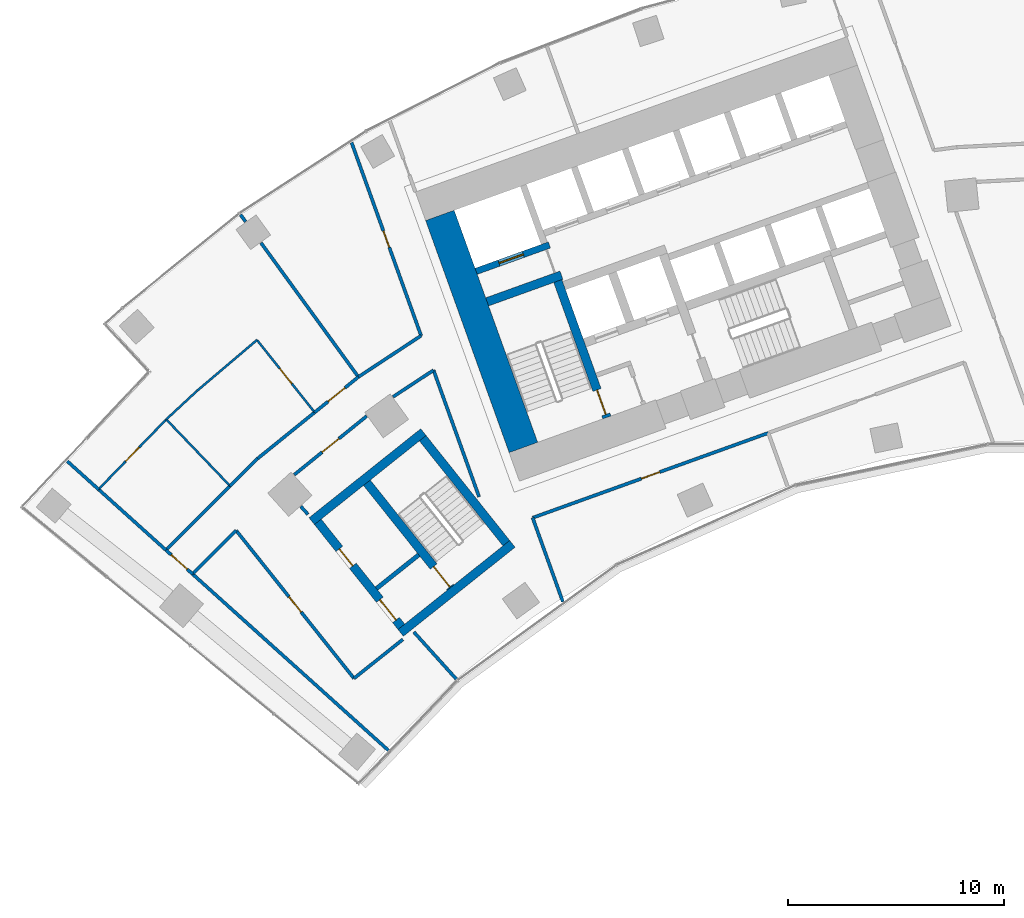
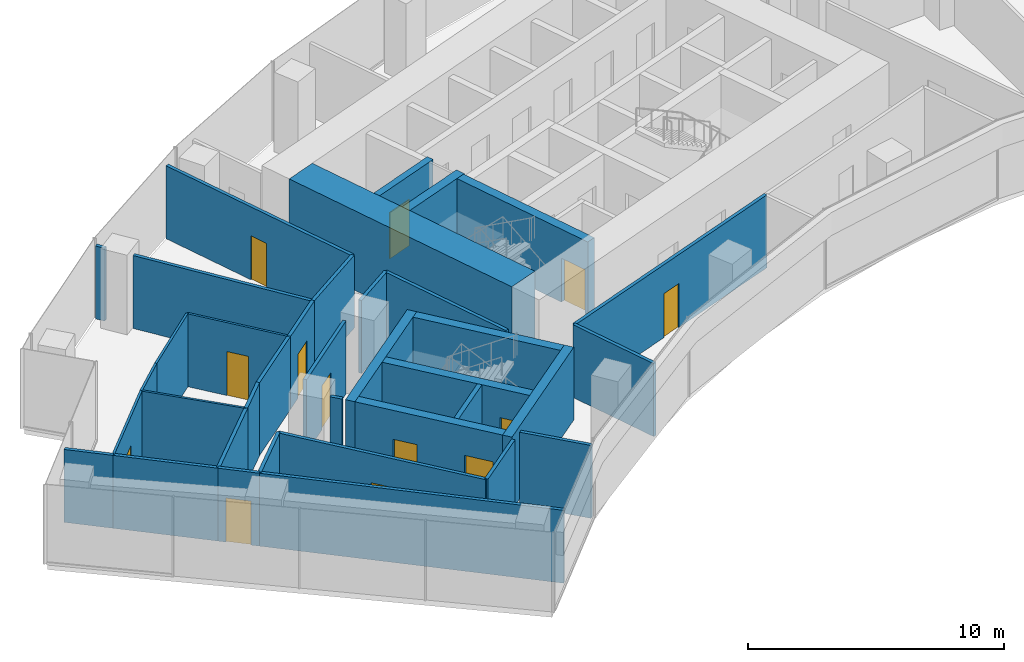
# One storey, part 13 of 20: 37 walls, 13 doors, 13 openings.
"""IFC4 building model written with IfcOpenShell, lengths in metres."""

from ifc_helpers import new_model, si_unit, direction, frame, frame_2d, origin, place, context, subcontext, project, spatial, rectangle, extrude, material, layer, layer_set, type_object, element, fill, save


model = new_model("IFC4")

# Units and contexts
model_context = context("Model", 3, precision=1e-05, world=origin(), true_north=direction((0.0, 1.0)))
body_context = subcontext(model_context, "Body", "Model", "MODEL_VIEW")
ifc_project = project(units=[si_unit("LENGTHUNIT", "METRE"), si_unit("AREAUNIT", "SQUARE_METRE"), si_unit("VOLUMEUNIT", "CUBIC_METRE"), si_unit("PLANEANGLEUNIT", "RADIAN"), si_unit("MASSUNIT", "GRAM", prefix="KILO")], contexts=[model_context])

# Site, building, storey
site_placement = place(None, origin())
site = spatial("IfcSite", under=ifc_project, at=site_placement, CompositionType="ELEMENT")
building_placement = place(site_placement, origin())
building = spatial("IfcBuilding", under=site, at=building_placement, Name="Stone Belt Terrace Tower", CompositionType="ELEMENT")
storey_placement = place(building_placement, frame((0.0, 0.0, 106.0)))
storey = spatial("IfcBuildingStorey", under=building, at=storey_placement, Name="L25", CompositionType="ELEMENT", Elevation=106.0)

# Wall
ifc_material_1 = material(Name="Concrete B80", Category="concrete")
ifc_layer_1 = layer(ifc_material_1, 1.39990234375)
ifc_layer_set_1 = layer_set([ifc_layer_1], Name="Core wall 1400 B80")
wall_type_1 = type_object("IfcWallType", Name="Core wall 1400 B80", PredefinedType="SHEAR", material=ifc_layer_set_1)
wall_1_placement = place(storey_placement, frame((-26.00927734375, 43.03515625, 0.0), z_axis=(0.0, 0.0, 1.0), x_axis=(-0.338625431531, 0.940921259788, 0.0)))
element("IfcWall", 1, at=wall_1_placement, inside=storey, type_object=wall_type_1, Name="Core A wall end_a L25", PredefinedType="SHEAR", context=body_context, shape_type="SweptSolid", body=[
    extrude(rectangle(XDim=11.400146484375, YDim=1.39990234375, at=frame_2d((5.7001953125, 0.0))), origin(), (0.0, 0.0, 1.0), 3.800048828125),
])

# Wall, opening, door
ifc_layer_2 = layer(ifc_material_1, 0.300048828125)
ifc_layer_set_2 = layer_set([ifc_layer_2], Name="Lift shaft wall 300")
wall_type_2 = type_object("IfcWallType", Name="Lift shaft wall 300", PredefinedType="SHEAR", material=ifc_layer_set_2)
wall_2_placement = place(storey_placement, frame((-28.195068359375, 51.17578125, 0.0), z_axis=(0.0, 0.0, 1.0), x_axis=(0.940901243567, 0.338681044427, 0.0)))
wall_2 = element("IfcWall", 2, at=wall_2_placement, inside=storey, type_object=wall_type_2, Name="Core A wall", PredefinedType="SHEAR", context=body_context, shape_type="SweptSolid", body=[
    extrude(rectangle(XDim=3.599853515625, YDim=0.300048828125, at=frame_2d((1.7998046875, 0.0))), origin(), (0.0, 0.0, 1.0), 3.47998046875),
])
opening_1_placement = place(wall_2_placement, frame((1.1201171875, 0.0, 0.0)))
opening_1 = element("IfcOpeningElement", 3, at=opening_1_placement, cuts=wall_2, Name="Opening L25-LD09", PredefinedType="OPENING", context=body_context, shape_type="SweptSolid", body=[
    extrude(rectangle(XDim=1.199951171875, YDim=2.199951171875, at=frame_2d((0.60009765625, 1.10009765625))), frame((0.0, 0.159912109375, 0.0), z_axis=(0.0, -1.0, 0.0), x_axis=(1.0, 0.0, 0.0)), (0.0, 0.0, 1.0), 0.320068359375),
])
ifc_material_2 = material(Name="Stainless steel door leaf", Category="steel")
door_type_1 = type_object("IfcDoorType", Name="Landing door 1200", OperationType="SLIDING_TO_LEFT", PredefinedType="DOOR", material=ifc_material_2)
door_1_placement = place(opening_1_placement, origin())
door_1 = element("IfcDoor", 4, at=door_1_placement, inside=storey, type_object=door_type_1, Name="Landing door SV1 core A", OperationType="SLIDING_TO_LEFT", OverallHeight=2.199951171875, OverallWidth=1.199951171875, PredefinedType="DOOR", context=body_context, shape_type="SweptSolid", body=[
    extrude(rectangle(XDim=1.199951171875, YDim=2.199951171875, at=frame_2d((0.60009765625, 1.10009765625))), frame((0.0, 0.02490234375, 0.0), z_axis=(0.0, -1.0, 0.0), x_axis=(1.0, 0.0, 0.0)), (0.0, 0.0, 1.0), 0.050048828125),
])
fill(opening_1, door_1)

ifc_material_3 = material(Name="Gypsum board partition")
ifc_layer_3 = layer(ifc_material_3, 0.10009765625)
ifc_layer_set_3 = layer_set([ifc_layer_3], Name="PARTITION 100")
wall_type_3 = type_object("IfcWallType", Name="PARTITION 100", PredefinedType="PARTITIONING", material=ifc_layer_set_3)
wall_3_placement = place(storey_placement, frame((-42.51611328125, 44.3330078125, 0.0), z_axis=(0.0, 0.0, 1.0), x_axis=(-0.695786469122, -0.718248696057, 0.0)))
wall_3 = element("IfcWall", 5, at=wall_3_placement, inside=storey, type_object=wall_type_3, Name="L25/wall/i045", PredefinedType="PARTITIONING", context=body_context, shape_type="SweptSolid", body=[
    extrude(rectangle(XDim=4.499755859375, YDim=0.10009765625, at=frame_2d((2.25, 0.0))), origin(), (0.0, 0.0, 1.0), 3.47998046875),
])
opening_2_placement = place(wall_3_placement, frame((1.800048828125, 0.0, 0.0)))
opening_2 = element("IfcOpeningElement", 6, at=opening_2_placement, cuts=wall_3, Name="Opening D-B3-14", PredefinedType="OPENING", context=body_context, shape_type="SweptSolid", body=[
    extrude(rectangle(XDim=0.89990234375, YDim=2.10009765625, at=frame_2d((0.449951171875, 1.050048828125))), frame((0.0, 0.06005859375, 0.0), z_axis=(0.0, -1.0, 0.0), x_axis=(1.0, 0.0, 0.0)), (0.0, 0.0, 1.0), 0.1201171875),
])
ifc_material_4 = material(Name="Timber door leaf", Category="wood")
door_type_2 = type_object("IfcDoorType", Name="OFFICE DOOR 900 X 2100", OperationType="NOTDEFINED", PredefinedType="DOOR", material=ifc_material_4)
door_2_placement = place(opening_2_placement, origin())
door_2 = element("IfcDoor", 7, at=door_2_placement, inside=storey, type_object=door_type_2, Name="L25/door/i14", OperationType="SINGLE_SWING_RIGHT", OverallHeight=2.10009765625, OverallWidth=0.89990234375, PredefinedType="DOOR", context=body_context, shape_type="SweptSolid", body=[
    extrude(rectangle(XDim=0.89990234375, YDim=2.10009765625, at=frame_2d((0.449951171875, 1.050048828125))), frame((0.0, 0.02490234375, 0.0), z_axis=(0.0, -1.0, 0.0), x_axis=(1.0, 0.0, 0.0)), (0.0, 0.0, 1.0), 0.050048828125),
])
fill(opening_2, door_2)

wall_4_placement = place(storey_placement, frame((-35.656005859375, 44.659912109375, 0.0), z_axis=(0.0, 0.0, 1.0), x_axis=(-0.623775758154, 0.781603354356, 0.0)))
wall_4 = element("IfcWall", 8, at=wall_4_placement, inside=storey, type_object=wall_type_3, Name="L25/wall/i046", PredefinedType="PARTITIONING", context=body_context, shape_type="SweptSolid", body=[
    extrude(rectangle(XDim=4.277099609375, YDim=0.10009765625, at=frame_2d((2.138671875, 0.0))), origin(), (0.0, 0.0, 1.0), 3.47998046875),
])
opening_3_placement = place(wall_4_placement, frame((1.6884765625, 0.0, 0.0)))
opening_3 = element("IfcOpeningElement", 9, at=opening_3_placement, cuts=wall_4, Name="Opening D-B3-15", PredefinedType="OPENING", context=body_context, shape_type="SweptSolid", body=[
    extrude(rectangle(XDim=0.89990234375, YDim=2.10009765625, at=frame_2d((0.449951171875, 1.050048828125))), frame((0.0, 0.06005859375, 0.0), z_axis=(0.0, -1.0, 0.0), x_axis=(1.0, 0.0, 0.0)), (0.0, 0.0, 1.0), 0.1201171875),
])
door_3_placement = place(opening_3_placement, origin())
door_3 = element("IfcDoor", 10, at=door_3_placement, inside=storey, type_object=door_type_2, Name="L25/door/i15", OperationType="SINGLE_SWING_RIGHT", OverallHeight=2.10009765625, OverallWidth=0.89990234375, PredefinedType="DOOR", context=body_context, shape_type="SweptSolid", body=[
    extrude(rectangle(XDim=0.89990234375, YDim=2.10009765625, at=frame_2d((0.449951171875, 1.050048828125))), frame((0.0, 0.02490234375, 0.0), z_axis=(0.0, -1.0, 0.0), x_axis=(1.0, 0.0, 0.0)), (0.0, 0.0, 1.0), 0.050048828125),
])
fill(opening_3, door_3)

# Walls
wall_5_placement = place(storey_placement, frame((-38.323974609375, 48.0029296875, 0.0), z_axis=(0.0, 0.0, 1.0), x_axis=(-0.762559241706, -0.646918389667, 0.0)))
element("IfcWall", 11, at=wall_5_placement, inside=storey, type_object=wall_type_3, Name="L25/wall/i047", PredefinedType="PARTITIONING", context=body_context, shape_type="SweptSolid", body=[
    extrude(rectangle(XDim=3.641845703125, YDim=0.10009765625, at=frame_2d((1.82080078125, 0.0))), origin(), (0.0, 0.0, 1.0), 3.47998046875),
])
wall_6_placement = place(storey_placement, frame((-41.10107421875, 45.64697265625, 0.0), z_axis=(0.0, 0.0, 1.0), x_axis=(-0.732793491626, -0.680451099367, 0.0)))
element("IfcWall", 12, at=wall_6_placement, inside=storey, type_object=wall_type_3, Name="L25/wall/i048", PredefinedType="PARTITIONING", context=body_context, shape_type="SweptSolid", body=[
    extrude(rectangle(XDim=1.930908203125, YDim=0.10009765625, at=frame_2d((0.96533203125, 0.0))), origin(), (0.0, 0.0, 1.0), 3.47998046875),
])
wall_7_placement = place(storey_placement, frame((-42.51611328125, 44.3330078125, 0.0), z_axis=(0.0, 0.0, 1.0), x_axis=(0.692188688201, -0.72171657867, 0.0)))
element("IfcWall", 13, at=wall_7_placement, inside=storey, type_object=wall_type_3, Name="L25/wall/i049", PredefinedType="PARTITIONING", context=body_context, shape_type="SweptSolid", body=[
    extrude(rectangle(XDim=4.266357421875, YDim=0.10009765625, at=frame_2d((2.13330078125, 0.0))), origin(), (0.0, 0.0, 1.0), 3.47998046875),
])
ifc_layer_4 = layer(ifc_material_3, 0.14990234375)
ifc_layer_set_4 = layer_set([ifc_layer_4], Name="PARTITION 150 EI 60")
wall_type_4 = type_object("IfcWallType", Name="PARTITION 150 EI 60", PredefinedType="PARTITIONING", material=ifc_layer_set_4)
wall_8_placement = place(storey_placement, frame((-25.5859375, 39.79296875, 0.0), z_axis=(0.0, 0.0, 1.0), x_axis=(0.338545933013, -0.940949866486, 0.0)))
element("IfcWall", 14, at=wall_8_placement, inside=storey, type_object=wall_type_4, Name="L25/wall/i001", PredefinedType="PARTITIONING", context=body_context, shape_type="SweptSolid", body=[
    extrude(rectangle(XDim=4.135009765625, YDim=0.14990234375, at=frame_2d((2.0673828125, 0.0))), origin(), (0.0, 0.0, 1.0), 3.47998046875),
])
wall_9_placement = place(storey_placement, frame((-28.05810546875, 40.75390625, 0.0), z_axis=(0.0, 0.0, 1.0), x_axis=(-0.338523697563, 0.94095786632, 0.0)))
element("IfcWall", 15, at=wall_9_placement, inside=storey, type_object=wall_type_4, Name="L25/wall/i003", PredefinedType="PARTITIONING", context=body_context, shape_type="SweptSolid", body=[
    extrude(rectangle(XDim=6.226806640625, YDim=0.14990234375, at=frame_2d((3.11328125, 0.0))), origin(), (0.0, 0.0, 1.0), 3.47998046875),
])
wall_10_placement = place(storey_placement, frame((-29.107177734375, 32.32666015625, 0.0), z_axis=(0.0, 0.0, 1.0), x_axis=(-0.669245075227, 0.74304174128, 0.0)))
element("IfcWall", 16, at=wall_10_placement, inside=storey, type_object=wall_type_4, Name="L25/wall/i004", PredefinedType="PARTITIONING", context=body_context, shape_type="SweptSolid", body=[
    extrude(rectangle(XDim=2.9345703125, YDim=0.14990234375, at=frame_2d((1.46728515625, 0.0))), origin(), (0.0, 0.0, 1.0), 3.47998046875),
])

# Wall, opening, door
wall_11_placement = place(storey_placement, frame((-30.737060546875, 48.197021484375, 0.0), z_axis=(0.0, 0.0, 1.0), x_axis=(-0.338586530295, 0.940935258933, 0.0)))
wall_11 = element("IfcWall", 17, at=wall_11_placement, inside=storey, type_object=wall_type_4, Name="L25/wall/i005", PredefinedType="PARTITIONING", context=body_context, shape_type="SweptSolid", body=[
    extrude(rectangle(XDim=9.494873046875, YDim=0.14990234375, at=frame_2d((4.74755859375, 0.0))), origin(), (0.0, 0.0, 1.0), 3.47998046875),
])
opening_4_placement = place(wall_11_placement, frame((4.347412109375, 0.0, 0.0)))
opening_4 = element("IfcOpeningElement", 18, at=opening_4_placement, cuts=wall_11, Name="Opening D-B3-12", PredefinedType="OPENING", context=body_context, shape_type="SweptSolid", body=[
    extrude(rectangle(XDim=0.800048828125, YDim=2.10009765625, at=frame_2d((0.39990234375, 1.050048828125))), frame((0.0, 0.0849609375, 0.0), z_axis=(0.0, -1.0, 0.0), x_axis=(1.0, 0.0, 0.0)), (0.0, 0.0, 1.0), 0.169921875),
])
door_type_3 = type_object("IfcDoorType", Name="STORE DOOR 800 X 2100", OperationType="NOTDEFINED", PredefinedType="DOOR", material=ifc_material_4)
door_4_placement = place(opening_4_placement, origin())
door_4 = element("IfcDoor", 19, at=door_4_placement, inside=storey, type_object=door_type_3, Name="L25/door/i12", OperationType="SINGLE_SWING_RIGHT", OverallHeight=2.10009765625, OverallWidth=0.800048828125, PredefinedType="DOOR", context=body_context, shape_type="SweptSolid", body=[
    extrude(rectangle(XDim=0.800048828125, YDim=2.10009765625, at=frame_2d((0.39990234375, 1.050048828125))), frame((0.0, 0.02490234375, 0.0), z_axis=(0.0, -1.0, 0.0), x_axis=(1.0, 0.0, 0.0)), (0.0, 0.0, 1.0), 0.050048828125),
])
fill(opening_4, door_4)

wall_12_placement = place(storey_placement, frame((-14.68603515625, 43.708984375, 0.0), z_axis=(0.0, 0.0, 1.0), x_axis=(-0.940925563116, -0.338613473854, 0.0)))
wall_12 = element("IfcWall", 20, at=wall_12_placement, inside=storey, type_object=wall_type_4, Name="L25/wall/i010", PredefinedType="PARTITIONING", context=body_context, shape_type="SweptSolid", body=[
    extrude(rectangle(XDim=11.582275390625, YDim=0.14990234375, at=frame_2d((5.791015625, 0.0))), origin(), (0.0, 0.0, 1.0), 3.47998046875),
])
opening_5_placement = place(wall_12_placement, frame((5.341064453125, 0.0, 0.0)))
opening_5 = element("IfcOpeningElement", 21, at=opening_5_placement, cuts=wall_12, Name="Opening D-B3-01", PredefinedType="OPENING", context=body_context, shape_type="SweptSolid", body=[
    extrude(rectangle(XDim=0.89990234375, YDim=2.10009765625, at=frame_2d((0.449951171875, 1.050048828125))), frame((0.0, 0.0849609375, 0.0), z_axis=(0.0, -1.0, 0.0), x_axis=(1.0, 0.0, 0.0)), (0.0, 0.0, 1.0), 0.169921875),
])
door_5_placement = place(opening_5_placement, origin())
door_5 = element("IfcDoor", 22, at=door_5_placement, inside=storey, type_object=door_type_2, Name="L25/door/i01", OperationType="SINGLE_SWING_RIGHT", OverallHeight=2.10009765625, OverallWidth=0.89990234375, PredefinedType="DOOR", context=body_context, shape_type="SweptSolid", body=[
    extrude(rectangle(XDim=0.89990234375, YDim=2.10009765625, at=frame_2d((0.449951171875, 1.050048828125))), frame((0.0, 0.02490234375, 0.0), z_axis=(0.0, -1.0, 0.0), x_axis=(1.0, 0.0, 0.0)), (0.0, 0.0, 1.0), 0.050048828125),
])
fill(opening_5, door_5)

wall_13_placement = place(storey_placement, frame((-41.2958984375, 37.18310546875, 0.0), z_axis=(0.0, 0.0, 1.0), x_axis=(-0.74296518681, 0.669330061471, 0.0)))
wall_13 = element("IfcWall", 23, at=wall_13_placement, inside=storey, type_object=wall_type_4, Name="L25/wall/i028", PredefinedType="PARTITIONING", context=body_context, shape_type="SweptSolid", body=[
    extrude(rectangle(XDim=1.6611328125, YDim=0.14990234375, at=frame_2d((0.83056640625, 0.0))), origin(), (0.0, 0.0, 1.0), 3.47998046875),
])
opening_6_placement = place(wall_13_placement, frame((0.33056640625, 0.0, 0.0)))
opening_6 = element("IfcOpeningElement", 24, at=opening_6_placement, cuts=wall_13, Name="Opening D-B3-09", PredefinedType="OPENING", context=body_context, shape_type="SweptSolid", body=[
    extrude(rectangle(XDim=1.0, YDim=2.10009765625, at=frame_2d((0.5, 1.050048828125))), frame((0.0, 0.0849609375, 0.0), z_axis=(0.0, -1.0, 0.0), x_axis=(1.0, 0.0, 0.0)), (0.0, 0.0, 1.0), 0.169921875),
])
ifc_material_5 = material(Name="Timber fire door leaf", Category="wood")
door_type_4 = type_object("IfcDoorType", Name="TENANCY ENTRANCE DOOR 1000 X 2100", OperationType="NOTDEFINED", PredefinedType="DOOR", material=ifc_material_5)
door_6_placement = place(opening_6_placement, origin())
door_6 = element("IfcDoor", 25, at=door_6_placement, inside=storey, type_object=door_type_4, Name="L25/door/i09", OperationType="SINGLE_SWING_RIGHT", OverallHeight=2.10009765625, OverallWidth=1.0, PredefinedType="DOOR", context=body_context, shape_type="SweptSolid", body=[
    extrude(rectangle(XDim=1.0, YDim=2.10009765625, at=frame_2d((0.5, 1.050048828125))), frame((0.0, 0.02490234375, 0.0), z_axis=(0.0, -1.0, 0.0), x_axis=(1.0, 0.0, 0.0)), (0.0, 0.0, 1.0), 0.050048828125),
])
fill(opening_6, door_6)

# Walls
wall_14_placement = place(storey_placement, frame((-41.303955078125, 37.19091796875, 0.0), z_axis=(0.0, 0.0, 1.0), x_axis=(0.743116779767, -0.669161752963, 0.0)))
element("IfcWall", 26, at=wall_14_placement, inside=storey, type_object=wall_type_4, Name="L25/wall/i029", PredefinedType="PARTITIONING", context=body_context, shape_type="SweptSolid", body=[
    extrude(rectangle(XDim=12.184814453125, YDim=0.14990234375, at=frame_2d((6.09228515625, 0.0))), origin(), (0.0, 0.0, 1.0), 3.47998046875),
])
wall_15_placement = place(storey_placement, frame((-47.09228515625, 42.40283203125, 0.0), z_axis=(0.0, 0.0, 1.0), x_axis=(0.742883296829, -0.669420949248, 0.0)))
element("IfcWall", 27, at=wall_15_placement, inside=storey, type_object=wall_type_4, Name="L25/wall/i030", PredefinedType="PARTITIONING", context=body_context, shape_type="SweptSolid", body=[
    extrude(rectangle(XDim=1.95068359375, YDim=0.14990234375, at=frame_2d((0.975341796875, 0.0))), origin(), (0.0, 0.0, 1.0), 3.47998046875),
])
wall_16_placement = place(storey_placement, frame((-45.65087890625, 41.10498046875, 0.0), z_axis=(0.0, 0.0, 1.0), x_axis=(0.743074998659, -0.669208148761, 0.0)))
element("IfcWall", 28, at=wall_16_placement, inside=storey, type_object=wall_type_4, Name="L25/wall/i031", PredefinedType="PARTITIONING", context=body_context, shape_type="SweptSolid", body=[
    extrude(rectangle(XDim=4.210693359375, YDim=0.14990234375, at=frame_2d((2.10546875, 0.0))), origin(), (0.0, 0.0, 1.0), 3.47998046875),
])
wall_17_placement = place(storey_placement, frame((-30.1640625, 46.60693359375, 0.0), z_axis=(0.0, 0.0, 1.0), x_axis=(-0.835456606052, -0.549556420583, 0.0)))
element("IfcWall", 29, at=wall_17_placement, inside=storey, type_object=wall_type_4, Name="L25/wall/i032", PredefinedType="PARTITIONING", context=body_context, shape_type="SweptSolid", body=[
    extrude(rectangle(XDim=2.239013671875, YDim=0.14990234375, at=frame_2d((1.11962890625, 0.0))), origin(), (0.0, 0.0, 1.0), 3.47998046875),
])

# Wall, opening, door
wall_18_placement = place(storey_placement, frame((-33.253662109375, 44.485107421875, 0.0), z_axis=(0.0, 0.0, 1.0), x_axis=(-0.777153738144, -0.62931078752, 0.0)))
wall_18 = element("IfcWall", 30, at=wall_18_placement, inside=storey, type_object=wall_type_4, Name="L25/wall/i033", PredefinedType="PARTITIONING", context=body_context, shape_type="SweptSolid", body=[
    extrude(rectangle(XDim=4.30517578125, YDim=0.14990234375, at=frame_2d((2.152587890625, 0.0))), origin(), (0.0, 0.0, 1.0), 3.47998046875),
])
opening_7_placement = place(wall_18_placement, frame((1.652587890625, 0.0, 0.0)))
opening_7 = element("IfcOpeningElement", 31, at=opening_7_placement, cuts=wall_18, Name="Opening D-B3-10", PredefinedType="OPENING", context=body_context, shape_type="SweptSolid", body=[
    extrude(rectangle(XDim=1.0, YDim=2.10009765625, at=frame_2d((0.5, 1.050048828125))), frame((0.0, 0.0849609375, 0.0), z_axis=(0.0, -1.0, 0.0), x_axis=(1.0, 0.0, 0.0)), (0.0, 0.0, 1.0), 0.169921875),
])
door_7_placement = place(opening_7_placement, origin())
door_7 = element("IfcDoor", 32, at=door_7_placement, inside=storey, type_object=door_type_4, Name="L25/door/i10", OperationType="SINGLE_SWING_RIGHT", OverallHeight=2.10009765625, OverallWidth=1.0, PredefinedType="DOOR", context=body_context, shape_type="SweptSolid", body=[
    extrude(rectangle(XDim=1.0, YDim=2.10009765625, at=frame_2d((0.5, 1.050048828125))), frame((0.0, 0.02490234375, 0.0), z_axis=(0.0, -1.0, 0.0), x_axis=(1.0, 0.0, 0.0)), (0.0, 0.0, 1.0), 0.050048828125),
])
fill(opening_7, door_7)

# Walls
wall_19_placement = place(storey_placement, frame((-39.281982421875, 39.205078125, 0.0), z_axis=(0.0, 0.0, 1.0), x_axis=(-0.707106781187, -0.707106781187, 0.0)))
element("IfcWall", 33, at=wall_19_placement, inside=storey, type_object=wall_type_4, Name="L25/wall/i034", PredefinedType="PARTITIONING", context=body_context, shape_type="SweptSolid", body=[
    extrude(rectangle(XDim=2.85400390625, YDim=0.14990234375, at=frame_2d((1.427001953125, 0.0))), origin(), (0.0, 0.0, 1.0), 3.47998046875),
])
wall_20_placement = place(storey_placement, frame((-33.635986328125, 46.2958984375, 0.0), z_axis=(0.0, 0.0, 1.0), x_axis=(0.835274160171, 0.549833681535, 0.0)))
element("IfcWall", 34, at=wall_20_placement, inside=storey, type_object=wall_type_4, Name="L25/wall/i035", PredefinedType="PARTITIONING", context=body_context, shape_type="SweptSolid", body=[
    extrude(rectangle(XDim=3.46826171875, YDim=0.14990234375, at=frame_2d((1.734130859375, 0.0))), origin(), (0.0, 0.0, 1.0), 3.47998046875),
])

# Wall, opening, door
wall_21_placement = place(storey_placement, frame((-35.659912109375, 44.656005859375, 0.0), z_axis=(0.0, 0.0, 1.0), x_axis=(0.776967604898, 0.629540579264, 0.0)))
wall_21 = element("IfcWall", 35, at=wall_21_placement, inside=storey, type_object=wall_type_4, Name="L25/wall/i036", PredefinedType="PARTITIONING", context=body_context, shape_type="SweptSolid", body=[
    extrude(rectangle(XDim=2.60498046875, YDim=0.14990234375, at=frame_2d((1.302490234375, 0.0))), origin(), (0.0, 0.0, 1.0), 3.47998046875),
])
opening_8_placement = place(wall_21_placement, frame((0.802490234375, 0.0, 0.0)))
opening_8 = element("IfcOpeningElement", 36, at=opening_8_placement, cuts=wall_21, Name="Opening D-B3-13", PredefinedType="OPENING", context=body_context, shape_type="SweptSolid", body=[
    extrude(rectangle(XDim=1.0, YDim=2.10009765625, at=frame_2d((0.5, 1.050048828125))), frame((0.0, 0.0849609375, 0.0), z_axis=(0.0, -1.0, 0.0), x_axis=(1.0, 0.0, 0.0)), (0.0, 0.0, 1.0), 0.169921875),
])
door_8_placement = place(opening_8_placement, origin())
door_8 = element("IfcDoor", 37, at=door_8_placement, inside=storey, type_object=door_type_4, Name="L25/door/i13", OperationType="SINGLE_SWING_RIGHT", OverallHeight=2.10009765625, OverallWidth=1.0, PredefinedType="DOOR", context=body_context, shape_type="SweptSolid", body=[
    extrude(rectangle(XDim=1.0, YDim=2.10009765625, at=frame_2d((0.5, 1.050048828125))), frame((0.0, 0.02490234375, 0.0), z_axis=(0.0, -1.0, 0.0), x_axis=(1.0, 0.0, 0.0)), (0.0, 0.0, 1.0), 0.050048828125),
])
fill(opening_8, door_8)

# Walls
wall_22_placement = place(storey_placement, frame((-42.52587890625, 38.291015625, 0.0), z_axis=(0.0, 0.0, 1.0), x_axis=(0.70707768753, 0.707135873646, 0.0)))
element("IfcWall", 38, at=wall_22_placement, inside=storey, type_object=wall_type_4, Name="L25/wall/i037", PredefinedType="PARTITIONING", context=body_context, shape_type="SweptSolid", body=[
    extrude(rectangle(XDim=4.19580078125, YDim=0.14990234375, at=frame_2d((2.097900390625, 0.0))), origin(), (0.0, 0.0, 1.0), 3.47998046875),
])
wall_23_placement = place(storey_placement, frame((-39.56689453125, 41.25, 0.0), z_axis=(0.0, 0.0, 1.0), x_axis=(0.707106781187, 0.707106781187, 0.0)))
element("IfcWall", 39, at=wall_23_placement, inside=storey, type_object=wall_type_4, Name="L25/wall/i038", PredefinedType="PARTITIONING", context=body_context, shape_type="SweptSolid", body=[
    extrude(rectangle(XDim=1.804443359375, YDim=0.14990234375, at=frame_2d((0.90234375, 0.0))), origin(), (0.0, 0.0, 1.0), 3.47998046875),
])
wall_24_placement = place(storey_placement, frame((-38.291015625, 42.52587890625, 0.0), z_axis=(0.0, 0.0, 1.0), x_axis=(0.777110974031, 0.629363594467, 0.0)))
element("IfcWall", 40, at=wall_24_placement, inside=storey, type_object=wall_type_4, Name="L25/wall/i039", PredefinedType="PARTITIONING", context=body_context, shape_type="SweptSolid", body=[
    extrude(rectangle(XDim=3.3974609375, YDim=0.14990234375, at=frame_2d((1.69873046875, 0.0))), origin(), (0.0, 0.0, 1.0), 3.47998046875),
])
wall_25_placement = place(storey_placement, frame((-36.297119140625, 40.311767578125, 0.0), z_axis=(0.0, 0.0, 1.0), x_axis=(0.669100229536, -0.743172175768, 0.0)))
element("IfcWall", 41, at=wall_25_placement, inside=storey, type_object=wall_type_4, Name="L25/wall/i040", PredefinedType="PARTITIONING", context=body_context, shape_type="SweptSolid", body=[
    extrude(rectangle(XDim=0.497802734375, YDim=0.14990234375, at=frame_2d((0.2490234375, 0.0))), origin(), (0.0, 0.0, 1.0), 3.47998046875),
])
wall_26_placement = place(storey_placement, frame((-31.58203125, 34.1640625, 0.0), z_axis=(0.0, 0.0, 1.0), x_axis=(-0.78211299795, -0.623136629029, 0.0)))
element("IfcWall", 42, at=wall_26_placement, inside=storey, type_object=wall_type_4, Name="L25/wall/i041", PredefinedType="PARTITIONING", context=body_context, shape_type="SweptSolid", body=[
    extrude(rectangle(XDim=2.88720703125, YDim=0.14990234375, at=frame_2d((1.443603515625, 0.0))), origin(), (0.0, 0.0, 1.0), 3.47998046875),
])

# Wall, opening, door
wall_27_placement = place(storey_placement, frame((-33.841064453125, 32.365966796875, 0.0), z_axis=(0.0, 0.0, 1.0), x_axis=(-0.623078744687, 0.782159112917, 0.0)))
wall_27 = element("IfcWall", 43, at=wall_27_placement, inside=storey, type_object=wall_type_4, Name="L25/wall/i042", PredefinedType="PARTITIONING", context=body_context, shape_type="SweptSolid", body=[
    extrude(rectangle(XDim=8.738525390625, YDim=0.14990234375, at=frame_2d((4.369140625, 0.0))), origin(), (0.0, 0.0, 1.0), 3.47998046875),
])
opening_9_placement = place(wall_27_placement, frame((3.91943359375, 0.0, 0.0)))
opening_9 = element("IfcOpeningElement", 44, at=opening_9_placement, cuts=wall_27, Name="Opening D-B3-11", PredefinedType="OPENING", context=body_context, shape_type="SweptSolid", body=[
    extrude(rectangle(XDim=0.89990234375, YDim=2.10009765625, at=frame_2d((0.449951171875, 1.050048828125))), frame((0.0, 0.0849609375, 0.0), z_axis=(0.0, -1.0, 0.0), x_axis=(1.0, 0.0, 0.0)), (0.0, 0.0, 1.0), 0.169921875),
])
door_9_placement = place(opening_9_placement, origin())
door_9 = element("IfcDoor", 45, at=door_9_placement, inside=storey, type_object=door_type_2, Name="L25/door/i11", OperationType="SINGLE_SWING_RIGHT", OverallHeight=2.10009765625, OverallWidth=0.89990234375, PredefinedType="DOOR", context=body_context, shape_type="SweptSolid", body=[
    extrude(rectangle(XDim=0.89990234375, YDim=2.10009765625, at=frame_2d((0.449951171875, 1.050048828125))), frame((0.0, 0.02490234375, 0.0), z_axis=(0.0, -1.0, 0.0), x_axis=(1.0, 0.0, 0.0)), (0.0, 0.0, 1.0), 0.050048828125),
])
fill(opening_9, door_9)

# Walls
wall_28_placement = place(storey_placement, frame((-33.635986328125, 46.2958984375, 0.0), z_axis=(0.0, 0.0, 1.0), x_axis=(-0.587771704289, 0.809026837402, 0.0)))
element("IfcWall", 46, at=wall_28_placement, inside=storey, type_object=wall_type_4, Name="L25/wall/i043", PredefinedType="PARTITIONING", context=body_context, shape_type="SweptSolid", body=[
    extrude(rectangle(XDim=7.658935546875, YDim=0.14990234375, at=frame_2d((3.82958984375, 0.0))), origin(), (0.0, 0.0, 1.0), 3.47998046875),
])
wall_29_placement = place(storey_placement, frame((-38.848876953125, 53.47119140625, 0.0), z_axis=(0.0, 0.0, 1.0), x_axis=(-0.588207421816, 0.808710101904, 0.0)))
element("IfcWall", 47, at=wall_29_placement, inside=storey, type_object=wall_type_4, Name="L25/wall/i044", PredefinedType="PARTITIONING", context=body_context, shape_type="SweptSolid", body=[
    extrude(rectangle(XDim=0.40625, YDim=0.14990234375, at=frame_2d((0.203125, 0.0))), origin(), (0.0, 0.0, 1.0), 3.47998046875),
])
ifc_material_6 = material(Name="Concrete masonry block", Category="masonry")
ifc_layer_5 = layer(ifc_material_6, 0.199951171875)
ifc_layer_set_5 = layer_set([ifc_layer_5], Name="Rated lobby wall 200")
wall_type_5 = type_object("IfcWallType", Name="Rated lobby wall 200", PredefinedType="PARTITIONING", material=ifc_layer_set_5)
wall_30_placement = place(storey_placement, frame((-30.845703125, 38.074951171875, 0.0), z_axis=(0.0, 0.0, 1.0), x_axis=(-0.782115323833, -0.623133709749, 0.0)))
element("IfcWall", 48, at=wall_30_placement, inside=storey, type_object=wall_type_5, Name="Exit stair ST3A wall", PredefinedType="PARTITIONING", context=body_context, shape_type="SweptSolid", body=[
    extrude(rectangle(XDim=2.5, YDim=0.199951171875, at=frame_2d((1.25, 0.0))), origin(), (0.0, 0.0, 1.0), 3.47998046875),
])
ifc_layer_6 = layer(ifc_material_1, 0.39990234375)
ifc_layer_set_6 = layer_set([ifc_layer_6], Name="Stair enclosure wall 400")
wall_type_6 = type_object("IfcWallType", Name="Stair enclosure wall 400", PredefinedType="SHEAR", material=ifc_layer_set_6)
wall_31_placement = place(storey_placement, frame((-27.687255859375, 49.764404296875, 0.0), z_axis=(0.0, 0.0, 1.0), x_axis=(0.940918954884, 0.338631835981, 0.0)))
element("IfcWall", 49, at=wall_31_placement, inside=storey, type_object=wall_type_6, Name="Core A wall", PredefinedType="SHEAR", context=body_context, shape_type="SweptSolid", body=[
    extrude(rectangle(XDim=3.650146484375, YDim=0.39990234375, at=frame_2d((1.8251953125, 0.0))), origin(), (0.0, 0.0, 1.0), 3.47998046875),
])

# Wall, opening, door
wall_32_placement = place(storey_placement, frame((-22.151611328125, 44.42333984375, 0.0), z_axis=(0.0, 0.0, 1.0), x_axis=(-0.338625272931, 0.940921316866, 0.0)))
wall_32 = element("IfcWall", 50, at=wall_32_placement, inside=storey, type_object=wall_type_6, Name="Core A wall", PredefinedType="SHEAR", context=body_context, shape_type="SweptSolid", body=[
    extrude(rectangle(XDim=6.699951171875, YDim=0.39990234375, at=frame_2d((3.35009765625, 0.0))), origin(), (0.0, 0.0, 1.0), 3.47998046875),
])
opening_10_placement = place(wall_32_placement, frame((0.14990234375, 0.0, 0.0)))
opening_10 = element("IfcOpeningElement", 51, at=opening_10_placement, cuts=wall_32, Name="Opening L25-C03", PredefinedType="OPENING", context=body_context, shape_type="SweptSolid", body=[
    extrude(rectangle(XDim=1.199951171875, YDim=2.10009765625, at=frame_2d((0.60009765625, 1.050048828125))), frame((0.0, 0.2099609375, 0.0), z_axis=(0.0, -1.0, 0.0), x_axis=(1.0, 0.0, 0.0)), (0.0, 0.0, 1.0), 0.419921875),
])
ifc_material_7 = material(Name="Steel door leaf", Category="steel")
door_type_5 = type_object("IfcDoorType", Name="Stair door 1200", OperationType="SINGLE_SWING_LEFT", PredefinedType="DOOR", material=ifc_material_7)
door_10_placement = place(opening_10_placement, origin())
door_10 = element("IfcDoor", 52, at=door_10_placement, inside=storey, type_object=door_type_5, Name="Stair 1 door core A", OperationType="SINGLE_SWING_RIGHT", OverallHeight=2.10009765625, OverallWidth=1.199951171875, PredefinedType="DOOR", context=body_context, shape_type="SweptSolid", body=[
    extrude(rectangle(XDim=1.199951171875, YDim=2.10009765625, at=frame_2d((0.60009765625, 1.050048828125))), frame((0.0, 0.02490234375, 0.0), z_axis=(0.0, -1.0, 0.0), x_axis=(1.0, 0.0, 0.0)), (0.0, 0.0, 1.0), 0.050048828125),
])
fill(opening_10, door_10)

# Walls
for number, where, z_axis, x_axis, name in (
    (53, (-26.518798828125, 38.58154296875, 0.0), (0.0, 0.0, 1.0), (-0.782133914161, -0.623110375711, 0.0), "Exit stair ST3A wall"),
    (54, (-30.63134765625, 43.74365234375, 0.0), (0.0, 0.0, 1.0), (-0.782133914161, -0.623110375711, 0.0), "Exit stair ST3A wall"),
):
    element("IfcWall", number, at=place(storey_placement, frame(where, z_axis=z_axis, x_axis=x_axis)), inside=storey, type_object=wall_type_6, Name=name, PredefinedType="SHEAR", context=body_context, shape_type="SweptSolid", body=[
        extrude(rectangle(XDim=6.60009765625, YDim=0.39990234375, at=frame_2d((3.300048828125, 0.0))), origin(), (0.0, 0.0, 1.0), 3.47998046875),
    ])
wall_33_placement = place(storey_placement, frame((-26.7998046875, 38.61328125, 0.0), z_axis=(0.0, 0.0, 1.0), x_axis=(-0.623118653668, 0.782127319208, 0.0)))
element("IfcWall", 55, at=wall_33_placement, inside=storey, type_object=wall_type_6, Name="Exit stair ST3A wall", PredefinedType="SHEAR", context=body_context, shape_type="SweptSolid", body=[
    extrude(rectangle(XDim=6.199951171875, YDim=0.39990234375, at=frame_2d((3.10009765625, 0.0))), origin(), (0.0, 0.0, 1.0), 3.47998046875),
])

# Wall, openings, doors
wall_34_placement = place(storey_placement, frame((-31.64892578125, 34.75, 0.0), z_axis=(0.0, 0.0, 1.0), x_axis=(-0.623118653668, 0.782127319208, 0.0)))
wall_34 = element("IfcWall", 56, at=wall_34_placement, inside=storey, type_object=wall_type_6, Name="Exit stair ST3A wall", PredefinedType="SHEAR", context=body_context, shape_type="SweptSolid", body=[
    extrude(rectangle(XDim=6.199951171875, YDim=0.39990234375, at=frame_2d((3.10009765625, 0.0))), origin(), (0.0, 0.0, 1.0), 3.47998046875),
])
opening_11_placement = place(wall_34_placement, frame((0.39990234375, 0.0, 0.0)))
opening_11 = element("IfcOpeningElement", 57, at=opening_11_placement, cuts=wall_34, Name="Opening L25-C20", PredefinedType="OPENING", context=body_context, shape_type="SweptSolid", body=[
    extrude(rectangle(XDim=1.199951171875, YDim=2.10009765625, at=frame_2d((0.60009765625, 1.050048828125))), frame((0.0, 0.2099609375, 0.0), z_axis=(0.0, -1.0, 0.0), x_axis=(1.0, 0.0, 0.0)), (0.0, 0.0, 1.0), 0.419921875),
])
opening_12_placement = place(wall_34_placement, frame((3.60009765625, 0.0, 0.0)))
opening_12 = element("IfcOpeningElement", 58, at=opening_12_placement, cuts=wall_34, Name="Opening L25-C21", PredefinedType="OPENING", context=body_context, shape_type="SweptSolid", body=[
    extrude(rectangle(XDim=1.0, YDim=2.10009765625, at=frame_2d((0.5, 1.050048828125))), frame((0.0, 0.2099609375, 0.0), z_axis=(0.0, -1.0, 0.0), x_axis=(1.0, 0.0, 0.0)), (0.0, 0.0, 1.0), 0.419921875),
])
door_type_6 = type_object("IfcDoorType", Name="Core room door 1000", OperationType="SINGLE_SWING_LEFT", PredefinedType="DOOR", material=ifc_material_4)
door_11_placement = place(opening_12_placement, origin())
door_11 = element("IfcDoor", 59, at=door_11_placement, inside=storey, type_object=door_type_6, Name="Door to stair pressurisation plant room ST3A", OperationType="SINGLE_SWING_LEFT", OverallHeight=2.10009765625, OverallWidth=1.0, PredefinedType="DOOR", context=body_context, shape_type="SweptSolid", body=[
    extrude(rectangle(XDim=1.0, YDim=2.10009765625, at=frame_2d((0.5, 1.050048828125))), frame((0.0, 0.02490234375, 0.0), z_axis=(0.0, -1.0, 0.0), x_axis=(1.0, 0.0, 0.0)), (0.0, 0.0, 1.0), 0.050048828125),
])
fill(opening_12, door_11)
door_type_7 = type_object("IfcDoorType", Name="Stair airlock door 1200", OperationType="SINGLE_SWING_LEFT", PredefinedType="DOOR", material=ifc_material_7)
door_12_placement = place(opening_11_placement, origin())
door_12 = element("IfcDoor", 60, at=door_12_placement, inside=storey, type_object=door_type_7, Name="Stair airlock door ST3A", OperationType="SINGLE_SWING_LEFT", OverallHeight=2.10009765625, OverallWidth=1.199951171875, PredefinedType="DOOR", context=body_context, shape_type="SweptSolid", body=[
    extrude(rectangle(XDim=1.199951171875, YDim=2.10009765625, at=frame_2d((0.60009765625, 1.050048828125))), frame((0.0, 0.02490234375, 0.0), z_axis=(0.0, -1.0, 0.0), x_axis=(1.0, 0.0, 0.0)), (0.0, 0.0, 1.0), 0.050048828125),
])
fill(opening_11, door_12)

# Wall, opening, door
wall_35_placement = place(storey_placement, frame((-29.380859375, 36.556884765625, 0.0), z_axis=(0.0, 0.0, 1.0), x_axis=(-0.623099462847, 0.782142608097, 0.0)))
wall_35 = element("IfcWall", 61, at=wall_35_placement, inside=storey, type_object=wall_type_6, Name="Exit stair ST3A wall", PredefinedType="SHEAR", context=body_context, shape_type="SweptSolid", body=[
    extrude(rectangle(XDim=6.2001953125, YDim=0.39990234375, at=frame_2d((3.10009765625, 0.0))), origin(), (0.0, 0.0, 1.0), 3.47998046875),
])
opening_13_placement = place(wall_35_placement, frame((0.050048828125, 0.0, 0.0)))
opening_13 = element("IfcOpeningElement", 62, at=opening_13_placement, cuts=wall_35, Name="Opening L25-C19", PredefinedType="OPENING", context=body_context, shape_type="SweptSolid", body=[
    extrude(rectangle(XDim=1.199951171875, YDim=2.10009765625, at=frame_2d((0.60009765625, 1.050048828125))), frame((0.0, 0.2099609375, 0.0), z_axis=(0.0, -1.0, 0.0), x_axis=(1.0, 0.0, 0.0)), (0.0, 0.0, 1.0), 0.419921875),
])
door_13_placement = place(opening_13_placement, origin())
door_13 = element("IfcDoor", 63, at=door_13_placement, inside=storey, type_object=door_type_5, Name="Stair door ST3A", OperationType="SINGLE_SWING_RIGHT", OverallHeight=2.10009765625, OverallWidth=1.199951171875, PredefinedType="DOOR", context=body_context, shape_type="SweptSolid", body=[
    extrude(rectangle(XDim=1.199951171875, YDim=2.10009765625, at=frame_2d((0.60009765625, 1.050048828125))), frame((0.0, 0.02490234375, 0.0), z_axis=(0.0, -1.0, 0.0), x_axis=(1.0, 0.0, 0.0)), (0.0, 0.0, 1.0), 0.050048828125),
])
fill(opening_13, door_13)

save(model, "model.ifc")
